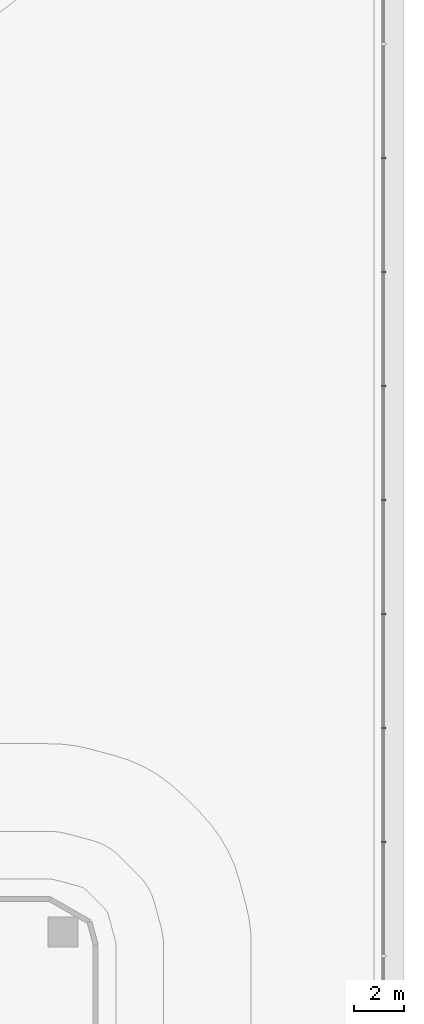
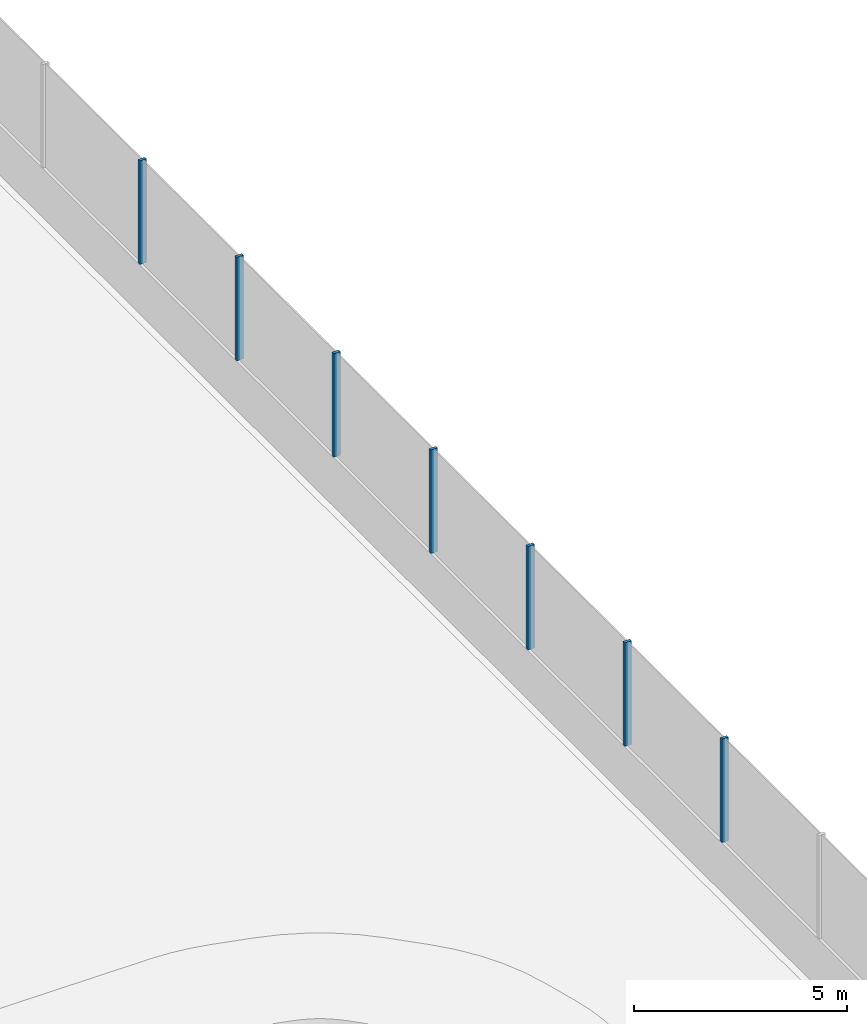
# One storey, part 17 of 37: 7 members, 1 element without a shape of its own.
"""IFC4 building model written with IfcOpenShell, lengths in metres."""

from ifc_helpers import new_model, si_unit, direction, frame, origin, origin_2d, place, context, subcontext, project, spatial, rectangle, extrude, material, layer, layer_set, material_profile, profile_set, type_object, element, aggregate, save


model = new_model("IFC4")

# Units and contexts
model_context = context("Model", 3, precision=1e-05, world=origin(), true_north=direction((0.0, 1.0)))
body_context = subcontext(model_context, "Body", "Model", "MODEL_VIEW")
ifc_project = project(units=[si_unit("LENGTHUNIT", "METRE"), si_unit("AREAUNIT", "SQUARE_METRE"), si_unit("VOLUMEUNIT", "CUBIC_METRE"), si_unit("PLANEANGLEUNIT", "RADIAN"), si_unit("MASSUNIT", "GRAM", prefix="KILO")], contexts=[model_context])

# Site, building, storey
site_placement = place(None, origin())
site = spatial("IfcSite", under=ifc_project, at=site_placement, CompositionType="ELEMENT")
building_placement = place(site_placement, origin())
building = spatial("IfcBuilding", under=site, at=building_placement, Name="Tamarind Cross Interchange Tower", CompositionType="ELEMENT")
storey_placement = place(building_placement, frame((0.0, 0.0, 29.5)))
storey = spatial("IfcBuildingStorey", under=building, at=storey_placement, Name="L05", CompositionType="ELEMENT", Elevation=29.5)

# Curtain wall, members
ifc_material = material(Name="Aluminium 6063-T6", Category="aluminium")
ifc_layer = layer(ifc_material, 0.179931640625)
ifc_layer_set = layer_set([ifc_layer], Name="Aluminium 6063-T6")
curtain_wall_type = type_object("IfcCurtainWallType", Name="Sky lobby curtain wall, fire-resisting glazing", PredefinedType="NOTDEFINED", material=ifc_layer_set)
curtain_wall_placement = place(storey_placement, origin())
curtain_wall = element("IfcCurtainWall", 1, at=curtain_wall_placement, inside=storey, type_object=curtain_wall_type, Name="CWS-L05-00", PredefinedType="NOTDEFINED")
ifc_material_profile = material_profile(ifc_material, rectangle(XDim=0.080078125, YDim=0.179931640625, at=origin_2d()), Name="Mullion CW4")
ifc_profile_set = profile_set([ifc_material_profile], Name="Aluminium 6063-T6")
member_type = type_object("IfcMemberType", Name="Mullion CW4", PredefinedType="MULLION", material=ifc_profile_set)
member_1_placement = place(storey_placement, frame((60.800048828125, 9.088134765625, 1.39990234375), z_axis=(0.0, 0.0, 1.0), x_axis=(0.0, 1.0, 0.0)))
member_1 = element("IfcMember", 2, at=member_1_placement, type_object=member_type, Name="CWM-L05-00-13", PredefinedType="MULLION", context=body_context, shape_type="SweptSolid", body=[
    extrude(rectangle(XDim=0.080078125, YDim=0.179931640625, at=origin_2d()), origin(), (0.0, 0.0, 1.0), 2.960205078125),
])
member_2_placement = place(storey_placement, frame((60.800048828125, 13.632080078125, 1.39990234375), z_axis=(0.0, 0.0, 1.0), x_axis=(0.0, 1.0, 0.0)))
member_2 = element("IfcMember", 3, at=member_2_placement, type_object=member_type, Name="CWM-L05-00-14", PredefinedType="MULLION", context=body_context, shape_type="SweptSolid", body=[
    extrude(rectangle(XDim=0.080078125, YDim=0.179931640625, at=origin_2d()), origin(), (0.0, 0.0, 1.0), 2.960205078125),
])
member_3_placement = place(storey_placement, frame((60.800048828125, 18.176025390625, 1.39990234375), z_axis=(0.0, 0.0, 1.0), x_axis=(0.0, 1.0, 0.0)))
member_3 = element("IfcMember", 4, at=member_3_placement, type_object=member_type, Name="CWM-L05-00-15", PredefinedType="MULLION", context=body_context, shape_type="SweptSolid", body=[
    extrude(rectangle(XDim=0.080078125, YDim=0.179931640625, at=origin_2d()), origin(), (0.0, 0.0, 1.0), 2.960205078125),
])
member_4_placement = place(storey_placement, frame((60.800048828125, 22.72021484375, 1.39990234375), z_axis=(0.0, 0.0, 1.0), x_axis=(0.0, 1.0, 0.0)))
member_4 = element("IfcMember", 5, at=member_4_placement, type_object=member_type, Name="CWM-L05-00-16", PredefinedType="MULLION", context=body_context, shape_type="SweptSolid", body=[
    extrude(rectangle(XDim=0.080078125, YDim=0.179931640625, at=origin_2d()), origin(), (0.0, 0.0, 1.0), 2.960205078125),
])
member_5_placement = place(storey_placement, frame((60.800048828125, 27.26416015625, 1.39990234375), z_axis=(0.0, 0.0, 1.0), x_axis=(0.0, 1.0, 0.0)))
member_5 = element("IfcMember", 6, at=member_5_placement, type_object=member_type, Name="CWM-L05-00-17", PredefinedType="MULLION", context=body_context, shape_type="SweptSolid", body=[
    extrude(rectangle(XDim=0.080078125, YDim=0.179931640625, at=origin_2d()), origin(), (0.0, 0.0, 1.0), 2.960205078125),
])
member_6_placement = place(storey_placement, frame((60.800048828125, 31.80810546875, 1.39990234375), z_axis=(0.0, 0.0, 1.0), x_axis=(0.0, 1.0, 0.0)))
member_6 = element("IfcMember", 7, at=member_6_placement, type_object=member_type, Name="CWM-L05-00-18", PredefinedType="MULLION", context=body_context, shape_type="SweptSolid", body=[
    extrude(rectangle(XDim=0.080078125, YDim=0.179931640625, at=origin_2d()), origin(), (0.0, 0.0, 1.0), 2.960205078125),
])
member_7_placement = place(storey_placement, frame((60.800048828125, 36.352294921875, 1.39990234375), z_axis=(0.0, 0.0, 1.0), x_axis=(0.0, 1.0, 0.0)))
member_7 = element("IfcMember", 8, at=member_7_placement, type_object=member_type, Name="CWM-L05-00-19", PredefinedType="MULLION", context=body_context, shape_type="SweptSolid", body=[
    extrude(rectangle(XDim=0.080078125, YDim=0.179931640625, at=origin_2d()), origin(), (0.0, 0.0, 1.0), 2.960205078125),
])
aggregate(curtain_wall, [member_1, member_2, member_3, member_4, member_5, member_6, member_7])

save(model, "model.ifc")
